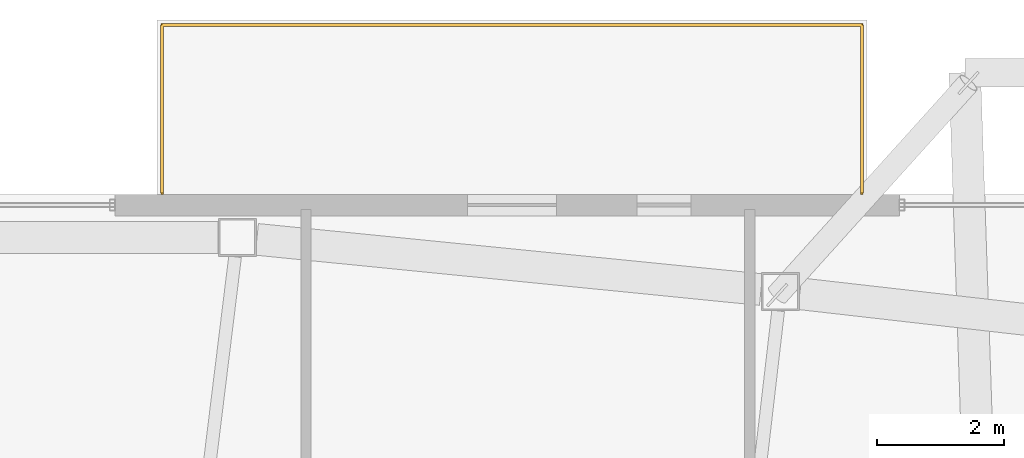
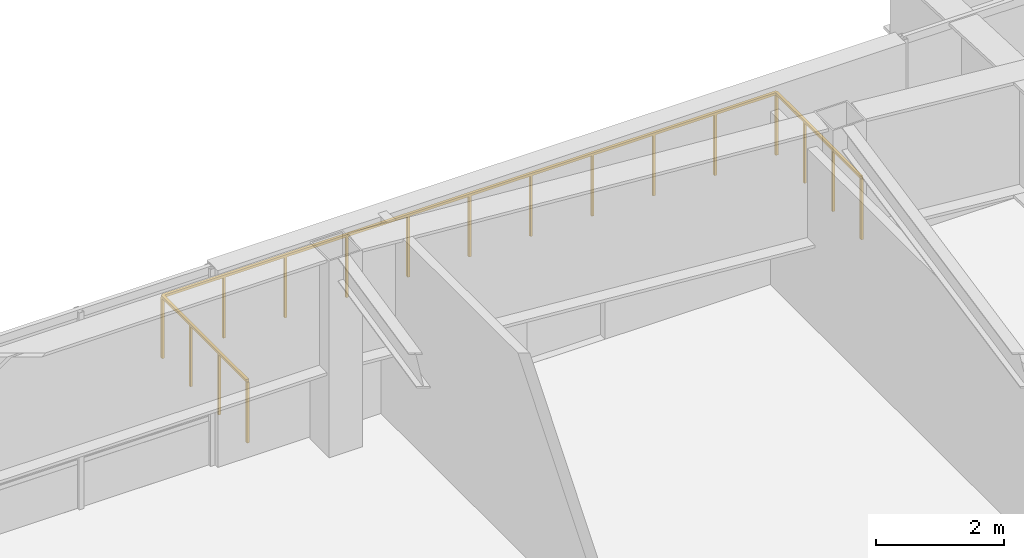
# One storey, part 19 of 19: 1 railing.
"""IFC4 building model written with IfcOpenShell, lengths in metres."""

from ifc_helpers import new_model, si_unit, direction, frame, origin, origin_2d, place, context, subcontext, project, spatial, rectangle, extrude, material, layer, layer_set, type_object, element, save


model = new_model("IFC4")

# Units and contexts
model_context = context("Model", 3, precision=1e-05, world=origin(), true_north=direction((0.0, 1.0)))
body_context = subcontext(model_context, "Body", "Model", "MODEL_VIEW")
ifc_project = project(units=[si_unit("LENGTHUNIT", "METRE"), si_unit("AREAUNIT", "SQUARE_METRE"), si_unit("VOLUMEUNIT", "CUBIC_METRE"), si_unit("PLANEANGLEUNIT", "RADIAN"), si_unit("MASSUNIT", "GRAM", prefix="KILO")], contexts=[model_context])

# Site, building, storey
site_placement = place(None, origin())
site = spatial("IfcSite", under=ifc_project, at=site_placement, CompositionType="ELEMENT")
building_placement = place(site_placement, origin())
building = spatial("IfcBuilding", under=site, at=building_placement, Name="Tavrogorsk Clinical Tower", CompositionType="ELEMENT")
storey_placement = place(building_placement, frame((0.0, 0.0, 172.199951171875)))
storey = spatial("IfcBuildingStorey", under=building, at=storey_placement, Name="L39", CompositionType="ELEMENT", Elevation=172.199951171875)

# Railing
ifc_material = material(Name="Stainless steel AISI 316 and laminated glass balustrade", Category="steel")
ifc_layer = layer(ifc_material, 0.090087890625)
ifc_layer_set = layer_set([ifc_layer], Name="Stainless steel AISI 316 and laminated glass balustrade")
railing_type = type_object("IfcRailingType", Name="TerraceGuardRailing_1200", PredefinedType="BALUSTRADE", material=ifc_layer_set)
railing_placement = place(storey_placement, frame((-3.1201171875, 27.1201171875, 0.0)))
element("IfcRailing", 1, at=railing_placement, inside=storey, type_object=railing_type, Name="L39 Spiralling Terrace Balustrade GD-01", PredefinedType="BALUSTRADE", context=body_context, shape_type="SweptSolid", body=[
    extrude(rectangle(XDim=0.048095703125, YDim=0.048095703125, at=origin_2d()), frame((0.0, 0.0, 1.17578125), z_axis=(0.0, 1.0, 0.0), x_axis=(-1.0, 0.0, 0.0)), (0.0, 0.0, 1.0), 2.64990234375),
    extrude(rectangle(XDim=0.048095703125, YDim=0.048095703125, at=origin_2d()), frame((0.0, 2.64990234375, 1.17578125), z_axis=(1.0, 0.0, 0.0), x_axis=(0.0, 1.0, 0.0)), (0.0, 0.0, 1.0), 11.0400390625),
    extrude(rectangle(XDim=0.048095703125, YDim=0.048095703125, at=origin_2d()), frame((11.0400390625, 2.64990234375, 1.17578125), z_axis=(0.0, -1.0, 0.0), x_axis=(1.0, 0.0, 0.0)), (0.0, 0.0, 1.0), 2.64990234375),
    extrude(rectangle(XDim=0.0419921875, YDim=0.0419921875, at=origin_2d()), origin(), (0.0, 0.0, 1.0), 1.15185546875),
    extrude(rectangle(XDim=0.0419921875, YDim=0.0419921875, at=origin_2d()), frame((0.0, 0.88330078125, 0.0)), (0.0, 0.0, 1.0), 1.15185546875),
    extrude(rectangle(XDim=0.0419921875, YDim=0.0419921875, at=origin_2d()), frame((0.0, 1.7666015625, 0.0)), (0.0, 0.0, 1.0), 1.15185546875),
    extrude(rectangle(XDim=0.0419921875, YDim=0.0419921875, at=origin_2d()), frame((0.0, 2.64990234375, 0.0)), (0.0, 0.0, 1.0), 1.15185546875),
    extrude(rectangle(XDim=0.0419921875, YDim=0.0419921875, at=origin_2d()), frame((1.10400390625, 2.64990234375, 0.0)), (0.0, 0.0, 1.0), 1.15185546875),
    extrude(rectangle(XDim=0.0419921875, YDim=0.0419921875, at=origin_2d()), frame((2.2080078125, 2.64990234375, 0.0)), (0.0, 0.0, 1.0), 1.15185546875),
    extrude(rectangle(XDim=0.0419921875, YDim=0.0419921875, at=origin_2d()), frame((3.31201171875, 2.64990234375, 0.0)), (0.0, 0.0, 1.0), 1.15185546875),
    extrude(rectangle(XDim=0.0419921875, YDim=0.0419921875, at=origin_2d()), frame((4.416015625, 2.64990234375, 0.0)), (0.0, 0.0, 1.0), 1.15185546875),
    extrude(rectangle(XDim=0.0419921875, YDim=0.0419921875, at=origin_2d()), frame((5.52001953125, 2.64990234375, 0.0)), (0.0, 0.0, 1.0), 1.15185546875),
    extrude(rectangle(XDim=0.0419921875, YDim=0.0419921875, at=origin_2d()), frame((6.6240234375, 2.64990234375, 0.0)), (0.0, 0.0, 1.0), 1.15185546875),
    extrude(rectangle(XDim=0.0419921875, YDim=0.0419921875, at=origin_2d()), frame((7.72802734375, 2.64990234375, 0.0)), (0.0, 0.0, 1.0), 1.15185546875),
    extrude(rectangle(XDim=0.0419921875, YDim=0.0419921875, at=origin_2d()), frame((8.83203125, 2.64990234375, 0.0)), (0.0, 0.0, 1.0), 1.15185546875),
    extrude(rectangle(XDim=0.0419921875, YDim=0.0419921875, at=origin_2d()), frame((9.93603515625, 2.64990234375, 0.0)), (0.0, 0.0, 1.0), 1.15185546875),
    extrude(rectangle(XDim=0.0419921875, YDim=0.0419921875, at=origin_2d()), frame((11.0400390625, 2.64990234375, 0.0)), (0.0, 0.0, 1.0), 1.15185546875),
    extrude(rectangle(XDim=0.0419921875, YDim=0.0419921875, at=origin_2d()), frame((11.0400390625, 1.7666015625, 0.0)), (0.0, 0.0, 1.0), 1.15185546875),
    extrude(rectangle(XDim=0.0419921875, YDim=0.0419921875, at=origin_2d()), frame((11.0400390625, 0.88330078125, 0.0)), (0.0, 0.0, 1.0), 1.15185546875),
    extrude(rectangle(XDim=0.0419921875, YDim=0.0419921875, at=origin_2d()), frame((11.0400390625, 0.0, 0.0)), (0.0, 0.0, 1.0), 1.15185546875),
])

save(model, "model.ifc")
